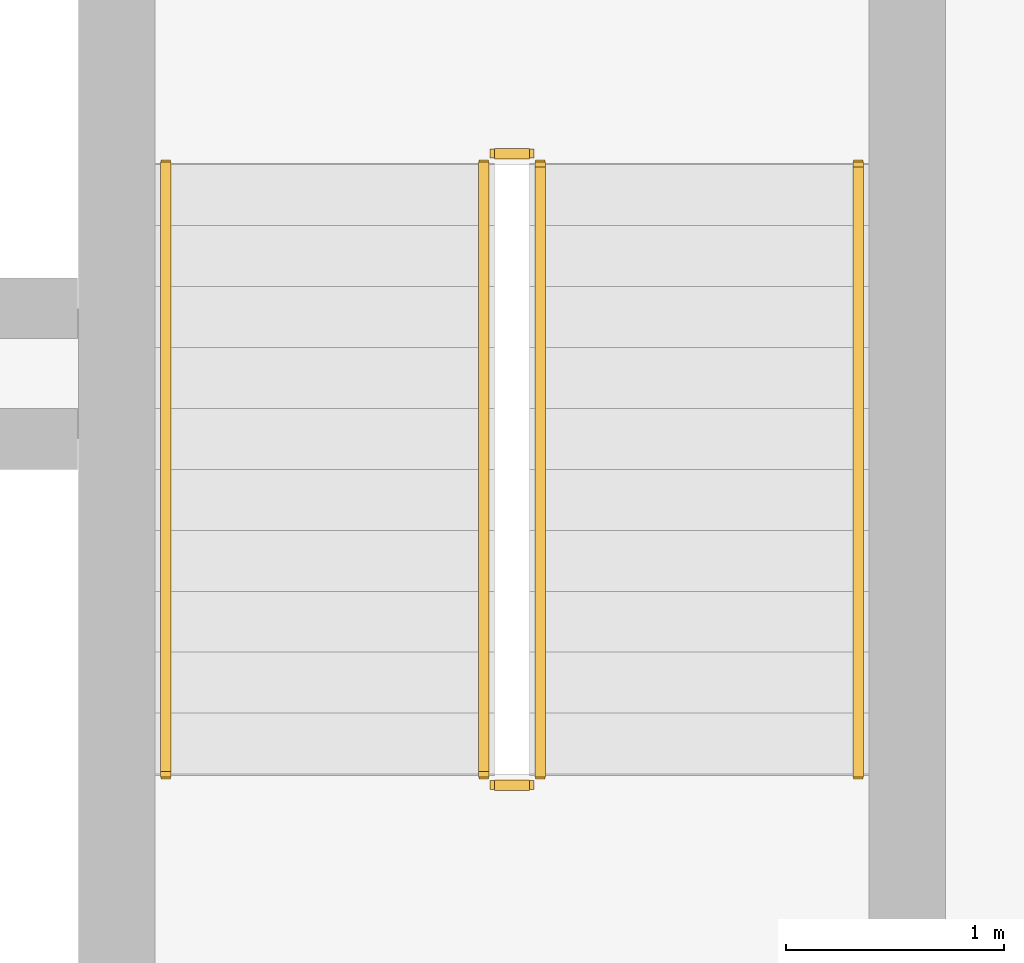
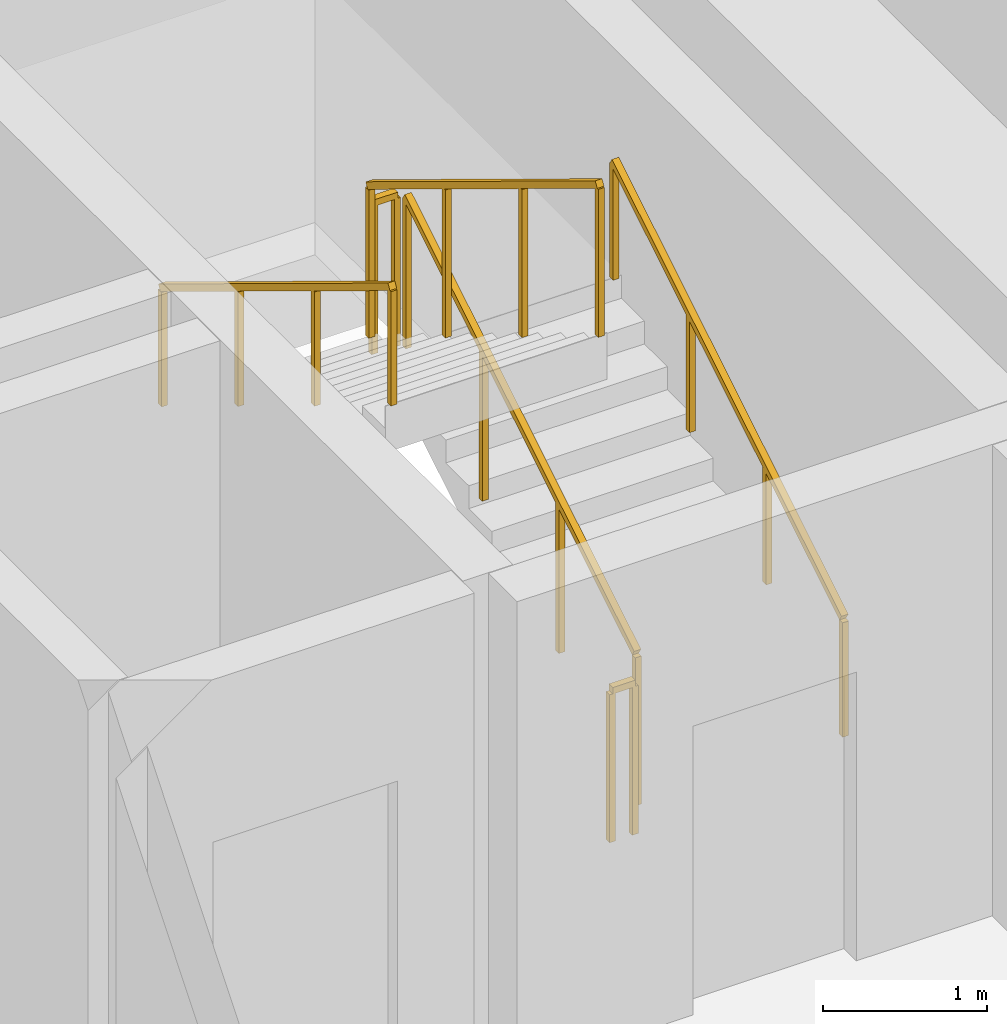
# One storey, part 15 of 15: 6 railings.
"""IFC4 building model written with IfcOpenShell, lengths in metres."""

from ifc_helpers import new_model, si_unit, direction, frame, origin, origin_2d, place, context, subcontext, project, spatial, rectangle, extrude, material, type_object, element, save


model = new_model("IFC4")

# Units and contexts
model_context = context("Model", 3, precision=1e-05, world=origin(), true_north=direction((0.0, 1.0)))
body_context = subcontext(model_context, "Body", "Model", "MODEL_VIEW")
ifc_project = project(units=[si_unit("LENGTHUNIT", "METRE"), si_unit("AREAUNIT", "SQUARE_METRE"), si_unit("VOLUMEUNIT", "CUBIC_METRE"), si_unit("PLANEANGLEUNIT", "RADIAN"), si_unit("MASSUNIT", "GRAM", prefix="KILO")], contexts=[model_context])

# Site, building, storey
site_placement = place(None, origin())
site = spatial("IfcSite", under=ifc_project, at=site_placement, CompositionType="ELEMENT")
building_placement = place(site_placement, origin())
building = spatial("IfcBuilding", under=site, at=building_placement, Name="Kaelvorn Grand Hotel", CompositionType="ELEMENT")
storey_placement = place(building_placement, frame((0.0, 0.0, 96.800048828125)))
storey = spatial("IfcBuildingStorey", under=building, at=storey_placement, Name="L22", CompositionType="ELEMENT", Elevation=96.800048828125)

# Railings
ifc_material = material(Name="Stainless Steel", Category="steel")
railing_type_1 = type_object("IfcRailingType", Name="RL-HANDRAIL-900", PredefinedType="HANDRAIL", material=ifc_material)
railing_1_placement = place(storey_placement, frame((66.550048828125, 41.760009765625, 0.17041015625)))
element("IfcRailing", 1, at=railing_1_placement, inside=storey, type_object=railing_type_1, Name="L22 ST3 stair handrail 1", PredefinedType="HANDRAIL", context=body_context, shape_type="SweptSolid", body=[
    extrude(rectangle(XDim=0.048095703125, YDim=0.048095703125, at=origin_2d()), frame((0.0, 0.0, 0.8759765625), z_axis=(0.0, 0.854169791009, 0.51999420009), x_axis=(-1.0, 0.0, 0.0)), (0.0, 0.0, 1.0), 3.278076171875),
    extrude(rectangle(XDim=0.0419921875, YDim=0.0419921875, at=origin_2d()), origin(), (0.0, 0.0, 1.0), 0.851806640625),
    extrude(rectangle(XDim=0.0419921875, YDim=0.0419921875, at=origin_2d()), frame((0.0, 0.933349609375, 0.568115234375)), (0.0, 0.0, 1.0), 0.851806640625),
    extrude(rectangle(XDim=0.0419921875, YDim=0.0419921875, at=origin_2d()), frame((0.0, 1.86669921875, 1.136474609375)), (0.0, 0.0, 1.0), 0.851806640625),
    extrude(rectangle(XDim=0.0419921875, YDim=0.0419921875, at=origin_2d()), frame((0.0, 2.800048828125, 1.70458984375)), (0.0, 0.0, 1.0), 0.851806640625),
])
railing_2_placement = place(storey_placement, frame((63.3701171875, 44.56005859375, 2.04541015625)))
element("IfcRailing", 2, at=railing_2_placement, inside=storey, type_object=railing_type_1, Name="L22 ST3 stair handrail 2", PredefinedType="HANDRAIL", context=body_context, shape_type="SweptSolid", body=[
    extrude(rectangle(XDim=0.048095703125, YDim=0.048095703125, at=origin_2d()), frame((0.0, 0.0, 0.8759765625), z_axis=(0.0, -0.854169791009, 0.51999420009), x_axis=(1.0, 0.0, 0.0)), (0.0, 0.0, 1.0), 3.278076171875),
    extrude(rectangle(XDim=0.0419921875, YDim=0.0419921875, at=origin_2d()), origin(), (0.0, 0.0, 1.0), 0.851806640625),
    extrude(rectangle(XDim=0.0419921875, YDim=0.0419921875, at=origin_2d()), frame((0.0, -0.933349609375, 0.568115234375)), (0.0, 0.0, 1.0), 0.851806640625),
    extrude(rectangle(XDim=0.0419921875, YDim=0.0419921875, at=origin_2d()), frame((0.0, -1.86669921875, 1.136474609375)), (0.0, 0.0, 1.0), 0.851806640625),
    extrude(rectangle(XDim=0.0419921875, YDim=0.0419921875, at=origin_2d()), frame((0.0, -2.800048828125, 1.70458984375)), (0.0, 0.0, 1.0), 0.851806640625),
])
railing_type_2 = type_object("IfcRailingType", Name="RL-STAIR-GUARD-1150", PredefinedType="BALUSTRADE", material=ifc_material)
railing_3_placement = place(storey_placement, frame((65.090087890625, 41.760009765625, 0.17041015625)))
element("IfcRailing", 3, at=railing_3_placement, inside=storey, type_object=railing_type_2, Name="L22 ST3 stair guard 1", PredefinedType="BALUSTRADE", context=body_context, shape_type="SweptSolid", body=[
    extrude(rectangle(XDim=0.048095703125, YDim=0.048095703125, at=origin_2d()), frame((0.0, 0.0, 1.1259765625), z_axis=(0.0, 0.854169791009, 0.51999420009), x_axis=(-1.0, 0.0, 0.0)), (0.0, 0.0, 1.0), 3.278076171875),
    extrude(rectangle(XDim=0.0419921875, YDim=0.0419921875, at=origin_2d()), origin(), (0.0, 0.0, 1.0), 1.101806640625),
    extrude(rectangle(XDim=0.0419921875, YDim=0.0419921875, at=origin_2d()), frame((0.0, 0.933349609375, 0.568115234375)), (0.0, 0.0, 1.0), 1.101806640625),
    extrude(rectangle(XDim=0.0419921875, YDim=0.0419921875, at=origin_2d()), frame((0.0, 1.86669921875, 1.136474609375)), (0.0, 0.0, 1.0), 1.101806640625),
    extrude(rectangle(XDim=0.0419921875, YDim=0.0419921875, at=origin_2d()), frame((0.0, 2.800048828125, 1.70458984375)), (0.0, 0.0, 1.0), 1.101806640625),
])
railing_4_placement = place(storey_placement, frame((65.0400390625, 44.610107421875, 1.875)))
element("IfcRailing", 4, at=railing_4_placement, inside=storey, type_object=railing_type_2, Name="L22 ST3 stair guard 2", PredefinedType="BALUSTRADE", context=body_context, shape_type="SweptSolid", body=[
    extrude(rectangle(XDim=0.048095703125, YDim=0.048095703125, at=origin_2d()), frame((0.0, 0.0, 1.1259765625), z_axis=(-1.0, 0.0, 0.0), x_axis=(0.0, -1.0, 0.0)), (0.0, 0.0, 1.0), 0.16015625),
    extrude(rectangle(XDim=0.0419921875, YDim=0.0419921875, at=origin_2d()), origin(), (0.0, 0.0, 1.0), 1.101806640625),
    extrude(rectangle(XDim=0.0419921875, YDim=0.0419921875, at=origin_2d()), frame((-0.16015625, 0.0, 0.0)), (0.0, 0.0, 1.0), 1.101806640625),
])
railing_5_placement = place(storey_placement, frame((64.830078125, 44.56005859375, 2.04541015625)))
element("IfcRailing", 5, at=railing_5_placement, inside=storey, type_object=railing_type_2, Name="L22 ST3 stair guard 3", PredefinedType="BALUSTRADE", context=body_context, shape_type="SweptSolid", body=[
    extrude(rectangle(XDim=0.048095703125, YDim=0.048095703125, at=origin_2d()), frame((0.0, 0.0, 1.1259765625), z_axis=(0.0, -0.854169791009, 0.51999420009), x_axis=(1.0, 0.0, 0.0)), (0.0, 0.0, 1.0), 3.278076171875),
    extrude(rectangle(XDim=0.0419921875, YDim=0.0419921875, at=origin_2d()), origin(), (0.0, 0.0, 1.0), 1.101806640625),
    extrude(rectangle(XDim=0.0419921875, YDim=0.0419921875, at=origin_2d()), frame((0.0, -0.933349609375, 0.568115234375)), (0.0, 0.0, 1.0), 1.101806640625),
    extrude(rectangle(XDim=0.0419921875, YDim=0.0419921875, at=origin_2d()), frame((0.0, -1.86669921875, 1.136474609375)), (0.0, 0.0, 1.0), 1.101806640625),
    extrude(rectangle(XDim=0.0419921875, YDim=0.0419921875, at=origin_2d()), frame((0.0, -2.800048828125, 1.70458984375)), (0.0, 0.0, 1.0), 1.101806640625),
])
railing_6_placement = place(storey_placement, frame((65.0400390625, 41.7099609375, 0.0)))
element("IfcRailing", 6, at=railing_6_placement, inside=storey, type_object=railing_type_2, Name="L22 ST3 stair guard 4", PredefinedType="BALUSTRADE", context=body_context, shape_type="SweptSolid", body=[
    extrude(rectangle(XDim=0.048095703125, YDim=0.048095703125, at=origin_2d()), frame((0.0, 0.0, 1.1259765625), z_axis=(-1.0, 0.0, 0.0), x_axis=(0.0, -1.0, 0.0)), (0.0, 0.0, 1.0), 0.16015625),
    extrude(rectangle(XDim=0.0419921875, YDim=0.0419921875, at=origin_2d()), origin(), (0.0, 0.0, 1.0), 1.101806640625),
    extrude(rectangle(XDim=0.0419921875, YDim=0.0419921875, at=origin_2d()), frame((-0.16015625, 0.0, 0.0)), (0.0, 0.0, 1.0), 1.101806640625),
])

save(model, "model.ifc")
